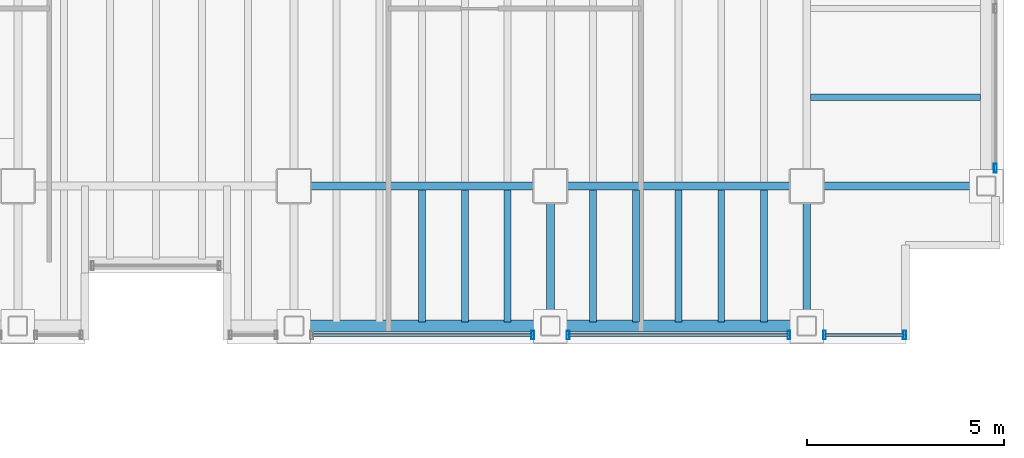
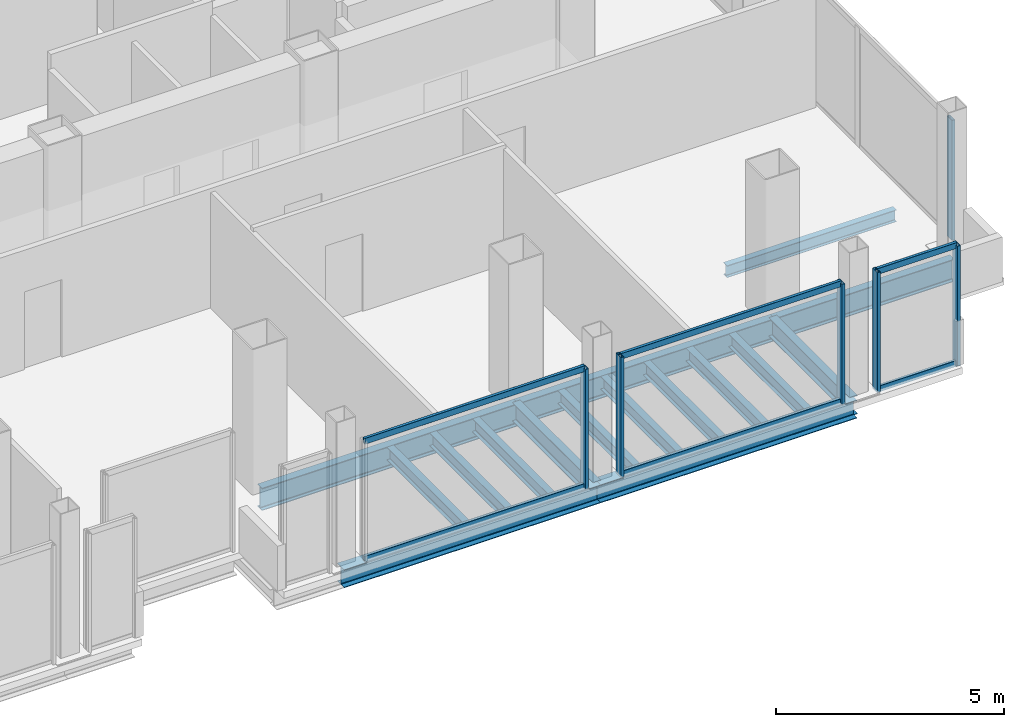
# One storey, part 11 of 19: 16 beams, 12 members, 4 elements without a shape of their own.
"""IFC4 building model written with IfcOpenShell, lengths in metres."""

from ifc_helpers import new_model, si_unit, direction, frame, origin, origin_2d, place, context, subcontext, project, spatial, hollow_rectangle, i_section, extrude, material, material_profile, profile_set, type_object, element, aggregate, save


model = new_model("IFC4")

# Units and contexts
model_context = context("Model", 3, precision=1e-05, world=origin(), true_north=direction((0.0, 1.0)))
body_context = subcontext(model_context, "Body", "Model", "MODEL_VIEW")
ifc_project = project(units=[si_unit("LENGTHUNIT", "METRE"), si_unit("AREAUNIT", "SQUARE_METRE"), si_unit("VOLUMEUNIT", "CUBIC_METRE"), si_unit("PLANEANGLEUNIT", "RADIAN"), si_unit("MASSUNIT", "GRAM", prefix="KILO")], contexts=[model_context])

# Site, building, storey
site_placement = place(None, origin())
site = spatial("IfcSite", under=ifc_project, at=site_placement, CompositionType="ELEMENT")
building_placement = place(site_placement, origin())
building = spatial("IfcBuilding", under=site, at=building_placement, Name="Noeulbin Bourse Tower", CompositionType="ELEMENT")
storey_placement = place(building_placement, frame((0.0, 0.0, 157.800048828125)))
storey = spatial("IfcBuildingStorey", under=building, at=storey_placement, Name="L39", CompositionType="ELEMENT", Elevation=157.800048828125)

# Beams
ifc_material_1 = material(Name="Steel S355", Category="steel")
ifc_material_profile_1 = material_profile(ifc_material_1, i_section(OverallWidth=0.199951171875, OverallDepth=0.5, WebThickness=0.010009765625, FlangeThickness=0.01611328125, FilletRadius=0.02001953125, at=origin_2d()), Name="H-500x200x10x16", Category="LoadBearing")
ifc_profile_set_1 = profile_set([ifc_material_profile_1], Name="Steel S355")
beam_type_1 = type_object("IfcBeamType", Name="BM-GRD-500", PredefinedType="USERDEFINED", material=ifc_profile_set_1)
for number, where, z_axis, x_axis, name in (
    (1, (37.5, 16.449951171875, -0.429931640625), (0.0, 1.0, 0.0), (-1.0, 0.0, 0.0), "Tower Primary Girder NS L39-4.1"),
    (2, (44.0, 16.449951171875, -0.429931640625), (0.0, 1.0, 0.0), (-1.0, 0.0, 0.0), "Tower Primary Girder NS L39-5.1"),
):
    element("IfcBeam", number, at=place(storey_placement, frame(where, z_axis=z_axis, x_axis=x_axis)), inside=storey, type_object=beam_type_1, Name=name, ObjectType="GIRDER", PredefinedType="USERDEFINED", context=body_context, shape_type="SweptSolid", body=[
        extrude(i_section(OverallWidth=0.199951171875, OverallDepth=0.5, WebThickness=0.010009765625, FlangeThickness=0.01611328125, FilletRadius=0.02001953125, at=origin_2d()), origin(), (0.0, 0.0, 1.0), 3.550048828125),
    ])
ifc_material_profile_2 = material_profile(ifc_material_1, i_section(OverallWidth=0.199951171875, OverallDepth=0.60009765625, WebThickness=0.010986328125, FlangeThickness=0.01708984375, FilletRadius=0.02197265625, at=origin_2d()), Name="H-600x200x11x17", Category="LoadBearing")
ifc_profile_set_2 = profile_set([ifc_material_profile_2], Name="Steel S355")
beam_type_2 = type_object("IfcBeamType", Name="BM-GRD-600", PredefinedType="USERDEFINED", material=ifc_profile_set_2)
for number, where, z_axis, x_axis, name in (
    (3, (31.0, 20.0, -0.47998046875), (1.0, 0.0, 0.0), (0.0, 1.0, 0.0), "Tower Primary Girder EW L39-1.4"),
    (4, (37.5, 20.0, -0.47998046875), (1.0, 0.0, 0.0), (0.0, 1.0, 0.0), "Tower Primary Girder EW L39-1.5"),
):
    element("IfcBeam", number, at=place(storey_placement, frame(where, z_axis=z_axis, x_axis=x_axis)), inside=storey, type_object=beam_type_2, Name=name, ObjectType="GIRDER", PredefinedType="USERDEFINED", context=body_context, shape_type="SweptSolid", body=[
        extrude(i_section(OverallWidth=0.199951171875, OverallDepth=0.60009765625, WebThickness=0.010986328125, FlangeThickness=0.01708984375, FilletRadius=0.02197265625, at=origin_2d()), origin(), (0.0, 0.0, 1.0), 6.5),
    ])
beam_1_placement = place(storey_placement, frame((44.0, 20.0, -0.47998046875), z_axis=(1.0, 0.0, 0.0), x_axis=(0.0, 1.0, 0.0)))
element("IfcBeam", 5, at=beam_1_placement, inside=storey, type_object=beam_type_2, Name="Tower Primary Girder EW L39-1.6", ObjectType="GIRDER", PredefinedType="USERDEFINED", context=body_context, shape_type="SweptSolid", body=[
    extrude(i_section(OverallWidth=0.199951171875, OverallDepth=0.60009765625, WebThickness=0.010986328125, FlangeThickness=0.01708984375, FilletRadius=0.02197265625, at=origin_2d()), origin(), (0.0, 0.0, 1.0), 4.550048828125),
])
ifc_material_profile_3 = material_profile(ifc_material_1, i_section(OverallWidth=0.159912109375, OverallDepth=0.320068359375, WebThickness=0.006591796875, FlangeThickness=0.010009765625, FilletRadius=0.012939453125, at=origin_2d()), Name="H-320x160x6.5x10", Category="LoadBearing")
ifc_profile_set_3 = profile_set([ifc_material_profile_3], Name="Steel S355")
beam_type_3 = type_object("IfcBeamType", Name="BM-JST-320", PredefinedType="JOIST", material=ifc_profile_set_3)
beam_2_placement = place(storey_placement, frame((44.10009765625, 22.25, -0.340087890625), z_axis=(1.0, 0.0, 0.0), x_axis=(0.0, 1.0, 0.0)))
element("IfcBeam", 6, at=beam_2_placement, inside=storey, type_object=beam_type_3, Name="Wing Composite Joist L39-E73", PredefinedType="JOIST", context=body_context, shape_type="SweptSolid", body=[
    extrude(i_section(OverallWidth=0.159912109375, OverallDepth=0.320068359375, WebThickness=0.006591796875, FlangeThickness=0.010009765625, FilletRadius=0.012939453125, at=origin_2d()), origin(), (0.0, 0.0, 1.0), 4.2998046875),
])
ifc_material_profile_4 = material_profile(ifc_material_1, i_section(OverallWidth=0.175048828125, OverallDepth=0.35009765625, WebThickness=0.007080078125, FlangeThickness=0.010986328125, FilletRadius=0.013916015625, at=origin_2d()), Name="H-350x175x7x11", Category="LoadBearing")
ifc_profile_set_4 = profile_set([ifc_material_profile_4], Name="Steel S355")
beam_type_4 = type_object("IfcBeamType", Name="BM-JST-350", PredefinedType="JOIST", material=ifc_profile_set_4)
for number, where, z_axis, x_axis, name in (
    (7, (34.25, 16.550048828125, -0.35498046875), (0.0, 1.0, 0.0), (-1.0, 0.0, 0.0), "Tower Composite Joist L39-46"),
    (8, (35.333251953125, 16.550048828125, -0.35498046875), (0.0, 1.0, 0.0), (-1.0, 0.0, 0.0), "Tower Composite Joist L39-49"),
    (9, (36.416748046875, 16.550048828125, -0.35498046875), (0.0, 1.0, 0.0), (-1.0, 0.0, 0.0), "Tower Composite Joist L39-52"),
    (10, (38.583251953125, 16.550048828125, -0.35498046875), (0.0, 1.0, 0.0), (-1.0, 0.0, 0.0), "Tower Composite Joist L39-55"),
    (11, (39.666748046875, 16.550048828125, -0.35498046875), (0.0, 1.0, 0.0), (-1.0, 0.0, 0.0), "Tower Composite Joist L39-58"),
    (12, (40.75, 16.550048828125, -0.35498046875), (0.0, 1.0, 0.0), (-1.0, 0.0, 0.0), "Tower Composite Joist L39-61"),
    (13, (41.833251953125, 16.550048828125, -0.35498046875), (0.0, 1.0, 0.0), (-1.0, 0.0, 0.0), "Tower Composite Joist L39-64"),
    (14, (42.916748046875, 16.550048828125, -0.35498046875), (0.0, 1.0, 0.0), (-1.0, 0.0, 0.0), "Tower Composite Joist L39-67"),
):
    element("IfcBeam", number, at=place(storey_placement, frame(where, z_axis=z_axis, x_axis=x_axis)), inside=storey, type_object=beam_type_4, Name=name, PredefinedType="JOIST", context=body_context, shape_type="SweptSolid", body=[
        extrude(i_section(OverallWidth=0.175048828125, OverallDepth=0.35009765625, WebThickness=0.007080078125, FlangeThickness=0.010986328125, FilletRadius=0.013916015625, at=origin_2d()), origin(), (0.0, 0.0, 1.0), 3.349853515625),
    ])
ifc_material_profile_5 = material_profile(ifc_material_1, i_section(OverallWidth=0.300048828125, OverallDepth=0.488037109375, WebThickness=0.010986328125, FlangeThickness=0.01806640625, FilletRadius=0.02197265625, at=origin_2d()), Name="H-488x300x11x18", Category="LoadBearing")
ifc_profile_set_5 = profile_set([ifc_material_profile_5], Name="Steel S355")
beam_type_5 = type_object("IfcBeamType", Name="BM-SPN-488", PredefinedType="SPANDREL", material=ifc_profile_set_5)
for number, where, z_axis, x_axis, name in (
    (15, (31.0, 16.449951171875, -0.424072265625), (1.0, 0.0, 0.0), (0.0, 1.0, 0.0), "South Spandrel L39-3"),
    (16, (37.5, 16.449951171875, -0.424072265625), (1.0, 0.0, 0.0), (0.0, 1.0, 0.0), "South Spandrel L39-4"),
):
    element("IfcBeam", number, at=place(storey_placement, frame(where, z_axis=z_axis, x_axis=x_axis)), inside=storey, type_object=beam_type_5, Name=name, PredefinedType="SPANDREL", context=body_context, shape_type="SweptSolid", body=[
        extrude(i_section(OverallWidth=0.300048828125, OverallDepth=0.488037109375, WebThickness=0.010986328125, FlangeThickness=0.01806640625, FilletRadius=0.02197265625, at=origin_2d()), origin(), (0.0, 0.0, 1.0), 6.5),
    ])

# Curtain wall, member
ifc_material_2 = material(Name="Dark Tinted Triple Glazing", Category="glass")
curtain_wall_type = type_object("IfcCurtainWallType", Name="CW-SYS-3", PredefinedType="NOTDEFINED", material=ifc_material_2)
curtain_wall_1_placement = place(storey_placement, origin())
curtain_wall_1 = element("IfcCurtainWall", 17, at=curtain_wall_1_placement, inside=storey, type_object=curtain_wall_type, Name="Unitised Curtain Wall CW-L39-S3-S2", PredefinedType="NOTDEFINED")
ifc_material_3 = material(Name="Anodised Aluminium 6063-T6", Category="aluminium")
ifc_material_profile_6 = material_profile(ifc_material_3, hollow_rectangle(XDim=0.074951171875, YDim=0.219970703125, WallThickness=0.0048828125, InnerFilletRadius=0.00244140625, OuterFilletRadius=0.0048828125, at=origin_2d()), Name="ALU-MULL-75x220x5", Category="LoadBearing")
ifc_profile_set_6 = profile_set([ifc_material_profile_6], Name="Anodised Aluminium 6063-T6")
member_type_1 = type_object("IfcMemberType", Name="CW-SYS-3-MUL", PredefinedType="MULLION", material=ifc_profile_set_6)
member_1_placement = place(storey_placement, frame((37.050048828125, 16.219970703125, -0.02001953125), z_axis=(0.0, 0.0, 1.0), x_axis=(1.0, 0.0, 0.0)))
member_1 = element("IfcMember", 18, at=member_1_placement, type_object=member_type_1, Name="Curtain Wall Mullion CW-L39-S3-S2-M01", PredefinedType="MULLION", context=body_context, shape_type="SweptSolid", body=[
    extrude(hollow_rectangle(XDim=0.074951171875, YDim=0.219970703125, WallThickness=0.0048828125, InnerFilletRadius=0.00244140625, OuterFilletRadius=0.0048828125, at=origin_2d()), origin(), (0.0, 0.0, 1.0), 3.219970703125),
])

# Curtain wall, members
curtain_wall_2_placement = place(storey_placement, origin())
curtain_wall_2 = element("IfcCurtainWall", 19, at=curtain_wall_2_placement, inside=storey, type_object=curtain_wall_type, Name="Unitised Curtain Wall CW-L39-S3-S3", PredefinedType="NOTDEFINED")
member_2_placement = place(storey_placement, frame((37.949951171875, 16.219970703125, -0.02001953125), z_axis=(0.0, 0.0, 1.0), x_axis=(1.0, 0.0, 0.0)))
member_2 = element("IfcMember", 20, at=member_2_placement, type_object=member_type_1, Name="Curtain Wall Mullion CW-L39-S3-S3-M00", PredefinedType="MULLION", context=body_context, shape_type="SweptSolid", body=[
    extrude(hollow_rectangle(XDim=0.074951171875, YDim=0.219970703125, WallThickness=0.0048828125, InnerFilletRadius=0.00244140625, OuterFilletRadius=0.0048828125, at=origin_2d()), origin(), (0.0, 0.0, 1.0), 3.219970703125),
])
member_3_placement = place(storey_placement, frame((43.550048828125, 16.219970703125, -0.02001953125), z_axis=(0.0, 0.0, 1.0), x_axis=(1.0, 0.0, 0.0)))
member_3 = element("IfcMember", 21, at=member_3_placement, type_object=member_type_1, Name="Curtain Wall Mullion CW-L39-S3-S3-M01", PredefinedType="MULLION", context=body_context, shape_type="SweptSolid", body=[
    extrude(hollow_rectangle(XDim=0.074951171875, YDim=0.219970703125, WallThickness=0.0048828125, InnerFilletRadius=0.00244140625, OuterFilletRadius=0.0048828125, at=origin_2d()), origin(), (0.0, 0.0, 1.0), 3.219970703125),
])

curtain_wall_3_placement = place(storey_placement, origin())
curtain_wall_3 = element("IfcCurtainWall", 22, at=curtain_wall_3_placement, inside=storey, type_object=curtain_wall_type, Name="Unitised Curtain Wall CW-L39-S3-S4", PredefinedType="NOTDEFINED")
member_4_placement = place(storey_placement, frame((44.449951171875, 16.219970703125, -0.02001953125), z_axis=(0.0, 0.0, 1.0), x_axis=(1.0, 0.0, 0.0)))
member_4 = element("IfcMember", 23, at=member_4_placement, type_object=member_type_1, Name="Curtain Wall Mullion CW-L39-S3-S4-M00", PredefinedType="MULLION", context=body_context, shape_type="SweptSolid", body=[
    extrude(hollow_rectangle(XDim=0.074951171875, YDim=0.219970703125, WallThickness=0.0048828125, InnerFilletRadius=0.00244140625, OuterFilletRadius=0.0048828125, at=origin_2d()), origin(), (0.0, 0.0, 1.0), 3.219970703125),
])
member_5_placement = place(storey_placement, frame((46.47998046875, 16.219970703125, -0.02001953125), z_axis=(0.0, 0.0, 1.0), x_axis=(1.0, 0.0, 0.0)))
member_5 = element("IfcMember", 24, at=member_5_placement, type_object=member_type_1, Name="Curtain Wall Mullion CW-L39-S3-S4-M01", PredefinedType="MULLION", context=body_context, shape_type="SweptSolid", body=[
    extrude(hollow_rectangle(XDim=0.074951171875, YDim=0.219970703125, WallThickness=0.0048828125, InnerFilletRadius=0.00244140625, OuterFilletRadius=0.0048828125, at=origin_2d()), origin(), (0.0, 0.0, 1.0), 3.219970703125),
])

# Curtain wall, member
curtain_wall_4_placement = place(storey_placement, origin())
curtain_wall_4 = element("IfcCurtainWall", 25, at=curtain_wall_4_placement, inside=storey, type_object=curtain_wall_type, Name="Unitised Curtain Wall CW-L39-E-S1", PredefinedType="NOTDEFINED")
member_6_placement = place(storey_placement, frame((48.780029296875, 20.449951171875, -0.02001953125), z_axis=(0.0, 0.0, 1.0), x_axis=(1.0, 0.0, 0.0)))
member_6 = element("IfcMember", 26, at=member_6_placement, type_object=member_type_1, Name="Curtain Wall Mullion CW-L39-E-S1-M00", PredefinedType="MULLION", context=body_context, shape_type="SweptSolid", body=[
    extrude(hollow_rectangle(XDim=0.074951171875, YDim=0.219970703125, WallThickness=0.0048828125, InnerFilletRadius=0.00244140625, OuterFilletRadius=0.0048828125, at=origin_2d()), origin(), (0.0, 0.0, 1.0), 3.219970703125),
])
aggregate(curtain_wall_4, [member_6])

# Member
ifc_material_profile_7 = material_profile(ifc_material_3, hollow_rectangle(XDim=0.074951171875, YDim=0.159912109375, WallThickness=0.0048828125, InnerFilletRadius=0.00244140625, OuterFilletRadius=0.0048828125, at=origin_2d()), Name="ALU-TRAN-75x160x5", Category="LoadBearing")
ifc_profile_set_7 = profile_set([ifc_material_profile_7], Name="Anodised Aluminium 6063-T6")
member_type_2 = type_object("IfcMemberType", Name="CW-SYS-3-TRN", PredefinedType="USERDEFINED", material=ifc_profile_set_7)
member_7_placement = place(storey_placement, frame((31.4599609375, 16.219970703125, 0.010009765625), z_axis=(1.0, 0.0, 0.0), x_axis=(0.0, 1.0, 0.0)))
member_7 = element("IfcMember", 27, at=member_7_placement, type_object=member_type_2, Name="Curtain Wall Transom CW-L39-S3-S2-T00", ObjectType="TRANSOM", PredefinedType="USERDEFINED", context=body_context, shape_type="SweptSolid", body=[
    extrude(hollow_rectangle(XDim=0.074951171875, YDim=0.159912109375, WallThickness=0.0048828125, InnerFilletRadius=0.00244140625, OuterFilletRadius=0.0048828125, at=origin_2d()), origin(), (0.0, 0.0, 1.0), 5.580078125),
])

member_8_placement = place(storey_placement, frame((31.4599609375, 16.219970703125, 3.169921875), z_axis=(1.0, 0.0, 0.0), x_axis=(0.0, 1.0, 0.0)))
member_8 = element("IfcMember", 28, at=member_8_placement, type_object=member_type_2, Name="Curtain Wall Transom CW-L39-S3-S2-T01", ObjectType="TRANSOM", PredefinedType="USERDEFINED", context=body_context, shape_type="SweptSolid", body=[
    extrude(hollow_rectangle(XDim=0.074951171875, YDim=0.159912109375, WallThickness=0.0048828125, InnerFilletRadius=0.00244140625, OuterFilletRadius=0.0048828125, at=origin_2d()), origin(), (0.0, 0.0, 1.0), 5.580078125),
])

aggregate(curtain_wall_1, [member_1, member_7, member_8])

member_9_placement = place(storey_placement, frame((37.9599609375, 16.219970703125, 0.010009765625), z_axis=(1.0, 0.0, 0.0), x_axis=(0.0, 1.0, 0.0)))
member_9 = element("IfcMember", 29, at=member_9_placement, type_object=member_type_2, Name="Curtain Wall Transom CW-L39-S3-S3-T00", ObjectType="TRANSOM", PredefinedType="USERDEFINED", context=body_context, shape_type="SweptSolid", body=[
    extrude(hollow_rectangle(XDim=0.074951171875, YDim=0.159912109375, WallThickness=0.0048828125, InnerFilletRadius=0.00244140625, OuterFilletRadius=0.0048828125, at=origin_2d()), origin(), (0.0, 0.0, 1.0), 5.580078125),
])

member_10_placement = place(storey_placement, frame((37.9599609375, 16.219970703125, 3.169921875), z_axis=(1.0, 0.0, 0.0), x_axis=(0.0, 1.0, 0.0)))
member_10 = element("IfcMember", 30, at=member_10_placement, type_object=member_type_2, Name="Curtain Wall Transom CW-L39-S3-S3-T01", ObjectType="TRANSOM", PredefinedType="USERDEFINED", context=body_context, shape_type="SweptSolid", body=[
    extrude(hollow_rectangle(XDim=0.074951171875, YDim=0.159912109375, WallThickness=0.0048828125, InnerFilletRadius=0.00244140625, OuterFilletRadius=0.0048828125, at=origin_2d()), origin(), (0.0, 0.0, 1.0), 5.580078125),
])

aggregate(curtain_wall_2, [member_2, member_3, member_9, member_10])

member_11_placement = place(storey_placement, frame((44.4599609375, 16.219970703125, 0.010009765625), z_axis=(1.0, 0.0, 0.0), x_axis=(0.0, 1.0, 0.0)))
member_11 = element("IfcMember", 31, at=member_11_placement, type_object=member_type_2, Name="Curtain Wall Transom CW-L39-S3-S4-T00", ObjectType="TRANSOM", PredefinedType="USERDEFINED", context=body_context, shape_type="SweptSolid", body=[
    extrude(hollow_rectangle(XDim=0.074951171875, YDim=0.159912109375, WallThickness=0.0048828125, InnerFilletRadius=0.00244140625, OuterFilletRadius=0.0048828125, at=origin_2d()), origin(), (0.0, 0.0, 1.0), 2.010009765625),
])

member_12_placement = place(storey_placement, frame((44.4599609375, 16.219970703125, 3.169921875), z_axis=(1.0, 0.0, 0.0), x_axis=(0.0, 1.0, 0.0)))
member_12 = element("IfcMember", 32, at=member_12_placement, type_object=member_type_2, Name="Curtain Wall Transom CW-L39-S3-S4-T01", ObjectType="TRANSOM", PredefinedType="USERDEFINED", context=body_context, shape_type="SweptSolid", body=[
    extrude(hollow_rectangle(XDim=0.074951171875, YDim=0.159912109375, WallThickness=0.0048828125, InnerFilletRadius=0.00244140625, OuterFilletRadius=0.0048828125, at=origin_2d()), origin(), (0.0, 0.0, 1.0), 2.010009765625),
])

aggregate(curtain_wall_3, [member_4, member_5, member_11, member_12])

save(model, "model.ifc")
